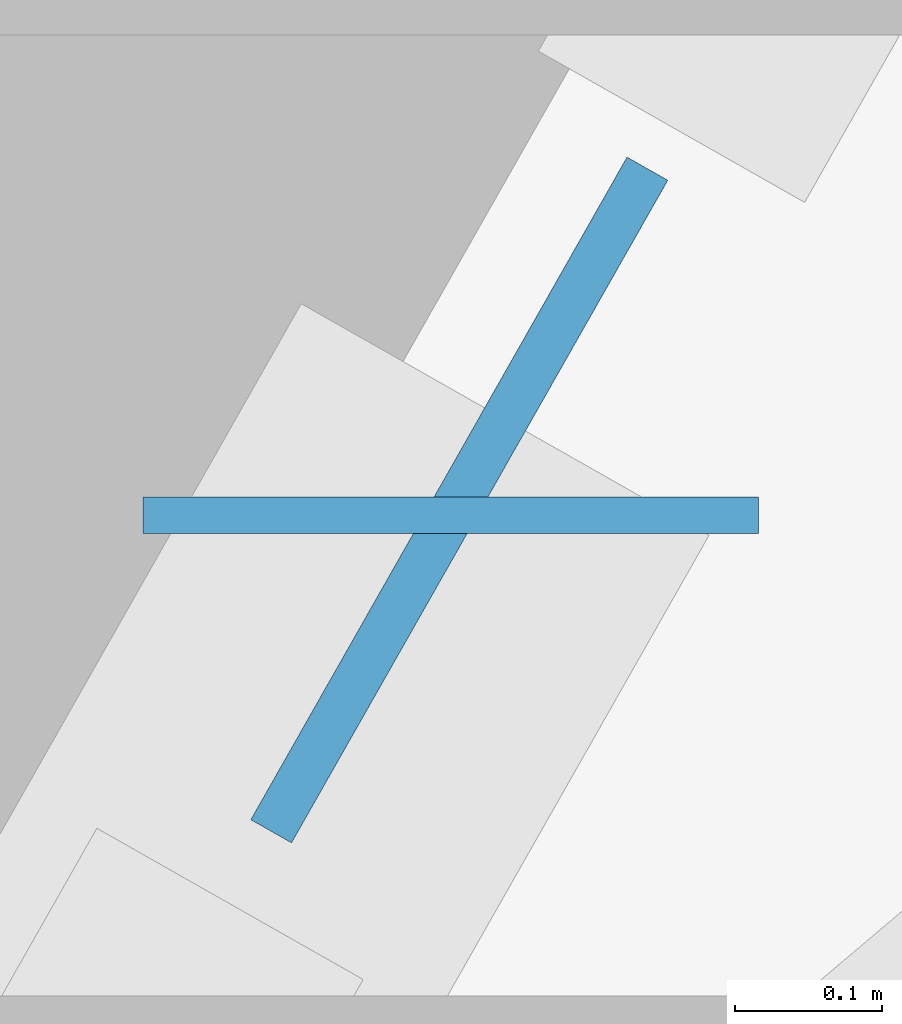
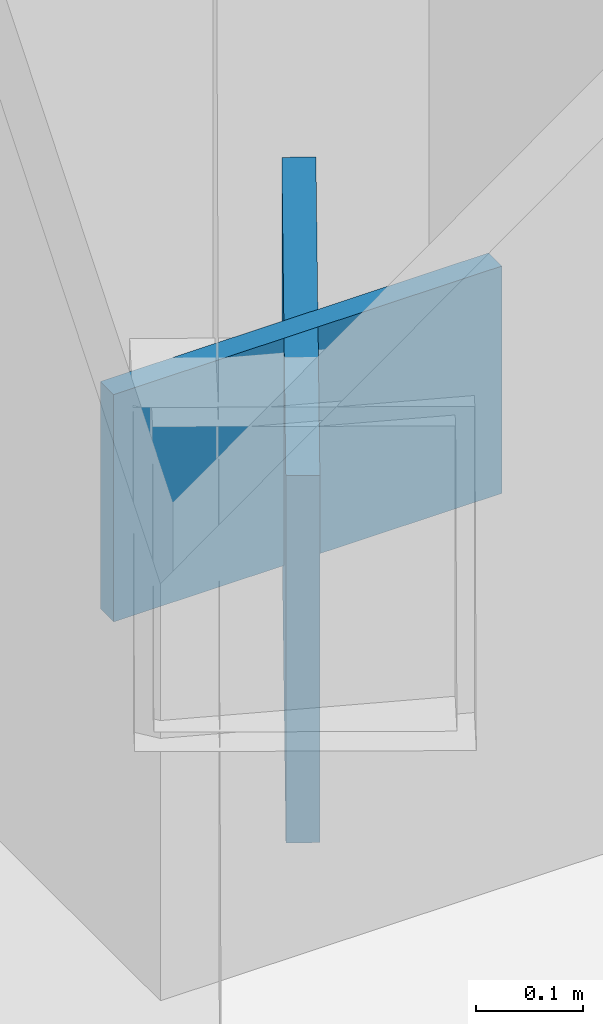
# One storey, part 5 of 13: 2 plates.
"""IFC4 building model written with IfcOpenShell, lengths in metres."""

import ifcopenshell
import ifcopenshell.guid

model = None  # the IFC model being written
_history = None  # IfcOwnerHistory: only IFC2X3 demands one
_inside = {}  # id of a spatial element -> (the spatial element, [elements in it])
_under = {}  # id of a project, library or spatial element -> (it, [spatial elements below it])
_declared = {}  # id of a project -> (the project, [libraries it declares])
_typed = {}  # id of a type object -> (the type object, [elements of that type])
_made_of = {}  # id of a material, layer set ... -> (it, [elements and type objects made of it])


def new_model(schema):
    """Start an empty IFC model of exactly this schema.

    Asked for "IFC4X3", IfcOpenShell would pick the latest addendum, in which some entities
    have other attributes; the version numbers below select the first issue.
    IFC2X3 requires an IfcOwnerHistory on every rooted entity: one is made here for all.
    """
    global model, _history
    if schema == "IFC4X3":
        model = ifcopenshell.file(schema_version=(4, 3, 0, 0))
    else:
        model = ifcopenshell.file(schema=schema)
    _inside.clear()
    _under.clear()
    _declared.clear()
    _typed.clear()
    _made_of.clear()
    _history = None
    if model.schema == "IFC2X3":
        org = make("IfcOrganization", Name="unknown")
        user = make(
            "IfcPersonAndOrganization",
            ThePerson=make("IfcPerson", FamilyName="unknown"),
            TheOrganization=org,
        )
        app = make(
            "IfcApplication",
            ApplicationDeveloper=org,
            Version="unknown",
            ApplicationFullName="unknown",
            ApplicationIdentifier="unknown",
        )
        _history = make(
            "IfcOwnerHistory",
            OwningUser=user,
            OwningApplication=app,
            ChangeAction="ADDED",
            CreationDate=0,
        )
    return model


def make(cls, **values):
    """One entity of the class cls with the attributes given. An attribute that is None is left unset."""
    return model.create_entity(
        cls, **{name: value for name, value in values.items() if value is not None}
    )


def rooted(cls, **values):
    """An entity with a GlobalId (a new one), such as an element, a storey or a relation."""
    return make(cls, GlobalId=ifcopenshell.guid.new(), OwnerHistory=_history, **values)


def si_unit(unit_type, name, prefix=None):
    """IfcSIUnit, for example si_unit("LENGTHUNIT", "METRE", prefix="MILLI")."""
    return make("IfcSIUnit", UnitType=unit_type, Prefix=prefix, Name=name)


def assignment(units):
    """IfcUnitAssignment: the units of a project."""
    return None if units is None else make("IfcUnitAssignment", Units=units)


def point(xyz):
    """IfcCartesianPoint."""
    return None if xyz is None else make("IfcCartesianPoint", Coordinates=xyz)


def direction(xyz):
    """IfcDirection."""
    return None if xyz is None else make("IfcDirection", DirectionRatios=xyz)


def frame(location, z_axis=None, x_axis=None):
    """IfcAxis2Placement3D, a coordinate frame: its origin and axes. An axis left out is left unset."""
    return make(
        "IfcAxis2Placement3D",
        Location=point(location),
        Axis=direction(z_axis),
        RefDirection=direction(x_axis),
    )


def frame_2d(location, x_axis=None):
    """IfcAxis2Placement2D, a coordinate frame in the plane: its origin and x axis."""
    return make(
        "IfcAxis2Placement2D", Location=point(location), RefDirection=direction(x_axis)
    )


def origin():
    """The frame at (0, 0, 0) with its axes left unset."""
    return frame((0.0, 0.0, 0.0))


def origin_2d():
    """The frame at (0, 0) in the plane with its x axis left unset."""
    return frame_2d((0.0, 0.0))


def place(relative_to, where):
    """IfcLocalPlacement: puts the frame where relative to a parent placement (None: the world)."""
    return make(
        "IfcLocalPlacement", PlacementRelTo=relative_to, RelativePlacement=where
    )


def context(
    kind, dimensions, precision=None, world=None, true_north=None, identifier=None
):
    """IfcGeometricRepresentationContext, for example the 3D "Model" context."""
    return make(
        "IfcGeometricRepresentationContext",
        ContextIdentifier=identifier,
        ContextType=kind,
        CoordinateSpaceDimension=dimensions,
        Precision=precision,
        WorldCoordinateSystem=world,
        TrueNorth=true_north,
    )


def subcontext(parent, identifier, kind, view, scale=None):
    """IfcGeometricRepresentationSubContext, for example "Body" below "Model"."""
    return make(
        "IfcGeometricRepresentationSubContext",
        ContextIdentifier=identifier,
        ContextType=kind,
        ParentContext=parent,
        TargetScale=scale,
        TargetView=view,
    )


def project(units=None, contexts=None):
    """IfcProject with its units and contexts."""
    return rooted(
        "IfcProject",
        Name="project",
        RepresentationContexts=contexts,
        UnitsInContext=assignment(units),
    )


def spatial(cls, under=None, at=None, **own):
    """A site, building, storey or space (cls), placed at a placement, below another one or the project."""
    s = rooted(cls, ObjectPlacement=at, **own)
    if under is not None:
        _under.setdefault(under.id(), (under, []))[1].append(s)
    return s


def profile(cls, at=None, kind="AREA", **sizes):
    """A parametric profile (cls). Its sizes go by their IFC names, for example OverallWidth=200.0."""
    return make(cls, ProfileType=kind, Position=at, **sizes)


def rectangle(**sizes):
    """IfcRectangleProfileDef."""
    return profile("IfcRectangleProfileDef", **sizes)


def extrude(swept, where, along, depth):
    """IfcExtrudedAreaSolid: the profile swept, set in the frame where, extruded along a direction by depth."""
    return make(
        "IfcExtrudedAreaSolid",
        SweptArea=swept,
        Position=where,
        ExtrudedDirection=direction(along),
        Depth=depth,
    )


def shape(context_of_items, identifier, shape_type, items):
    """IfcShapeRepresentation: the items that make up one representation, for example the "Body"."""
    return make(
        "IfcShapeRepresentation",
        ContextOfItems=context_of_items,
        RepresentationIdentifier=identifier,
        RepresentationType=shape_type,
        Items=items,
    )


def material(Name=None, Category=None):
    """IfcMaterial."""
    return make("IfcMaterial", Name=Name, Category=Category)


def layer(
    of_material, thickness, ventilated=None, Name=None, Category=None, Priority=None
):
    """IfcMaterialLayer: one layer of a wall or slab, of a material (None: an air gap)."""
    return make(
        "IfcMaterialLayer",
        Material=of_material,
        LayerThickness=thickness,
        IsVentilated=ventilated,
        Name=Name,
        Category=Category,
        Priority=Priority,
    )


def layer_set(layers, Name=None):
    """IfcMaterialLayerSet."""
    return make("IfcMaterialLayerSet", MaterialLayers=layers, LayerSetName=Name)


def made_of(thing, what):
    """Note that an element or type object is made of a material, layer set ...; save() writes the relation."""
    if what is not None:
        _made_of.setdefault(what.id(), (what, []))[1].append(thing)
    return thing


def type_object(cls, material=None, **own):
    """A type object (cls), such as IfcWallType, which elements share."""
    return made_of(rooted(cls, **own), material)


def element(
    cls,
    number,
    at=None,
    inside=None,
    cuts=None,
    type_object=None,
    material=None,
    context=None,
    identifier="Body",
    shape_type=None,
    held_by="IfcProductDefinitionShape",
    body=None,
    shapes=None,
    **own,
):
    """One element of the class cls, such as IfcWall. Its Tag is "e" and its number.

    at: its placement. inside: the storey or other place that contains it. cuts: it is an
    opening in that element (IfcRelVoidsElement). A single representation is given by context,
    identifier, shape_type and body (its items); several are given by shapes. held_by: the class
    of the entity that holds the representations. save() writes the other relations.
    """
    e = rooted(cls, Tag="e%d" % number, ObjectPlacement=at, **own)
    if body is not None:
        shapes = [shape(context, identifier, shape_type, body)]
    if shapes is not None:
        e.Representation = make(held_by, Representations=shapes)
    if inside is not None:
        _inside.setdefault(inside.id(), (inside, []))[1].append(e)
    if cuts is not None:
        rooted(
            "IfcRelVoidsElement", RelatingBuildingElement=cuts, RelatedOpeningElement=e
        )
    if type_object is not None:
        _typed.setdefault(type_object.id(), (type_object, []))[1].append(e)
    return made_of(e, material)


def aggregate(whole, parts):
    """IfcRelAggregates: a whole, such as a stair, and the parts it consists of."""
    return rooted("IfcRelAggregates", RelatingObject=whole, RelatedObjects=parts)


def save(model, path):
    """Write the relations noted so far, then the file.

    IfcRelAggregates (storeys below a building ...), IfcRelContainedInSpatialStructure (elements
    in a storey), IfcRelDefinesByType, IfcRelAssociatesMaterial and IfcRelDeclares: one each for
    every whole, place, type object, material and project.
    """
    for whole, parts in _under.values():
        aggregate(whole, parts)
    for where, things in _inside.values():
        rooted(
            "IfcRelContainedInSpatialStructure",
            RelatedElements=things,
            RelatingStructure=where,
        )
    for kind, things in _typed.values():
        rooted("IfcRelDefinesByType", RelatedObjects=things, RelatingType=kind)
    for what, things in _made_of.values():
        rooted("IfcRelAssociatesMaterial", RelatedObjects=things, RelatingMaterial=what)
    for by, libraries in _declared.values():
        rooted("IfcRelDeclares", RelatingContext=by, RelatedDefinitions=libraries)
    model.write(path)


model = new_model("IFC4")

# Units and contexts
model_context = context("Model", 3, precision=1e-05, world=origin(), true_north=direction((0.0, 1.0)))
body_context = subcontext(model_context, "Body", "Model", "MODEL_VIEW")
ifc_project = project(units=[si_unit("LENGTHUNIT", "METRE"), si_unit("AREAUNIT", "SQUARE_METRE"), si_unit("VOLUMEUNIT", "CUBIC_METRE"), si_unit("PLANEANGLEUNIT", "RADIAN"), si_unit("MASSUNIT", "GRAM", prefix="KILO")], contexts=[model_context])

# Site, building, storey
site_placement = place(None, origin())
site = spatial("IfcSite", under=ifc_project, at=site_placement, CompositionType="ELEMENT")
building_placement = place(site_placement, origin())
building = spatial("IfcBuilding", under=site, at=building_placement, Name="Kavelnor Concourse Tower", CompositionType="ELEMENT")
storey_placement = place(building_placement, frame((0.0, 0.0, 97.050048828125)))
storey = spatial("IfcBuildingStorey", under=building, at=storey_placement, Name="L24", CompositionType="ELEMENT", Elevation=97.050048828125)

# Plates
ifc_material = material(Name="Steel Grade 350", Category="steel")
ifc_layer_1 = layer(ifc_material, 0.031982421875, Name="Steel Grade 350")
ifc_layer_set_1 = layer_set([ifc_layer_1], Name="Steel Grade 350")
plate_type_1 = type_object("IfcPlateType", Name="PL-GUSSET-TUBE-Z1", PredefinedType="USERDEFINED", material=ifc_layer_set_1)
plate_1_placement = place(storey_placement, frame((23.24609375, 28.97216796875, 0.010009765625), z_axis=(0.0, 0.0, 1.0), x_axis=(-0.493790103568, -0.86958112538, 0.0)))
element("IfcPlate", 1, at=plate_1_placement, inside=storey, type_object=plate_type_1, Name="L24 Tube Brace Gusset GP3 F0-B3 End Gusset A", ObjectType="GUSSET_PLATE", PredefinedType="USERDEFINED", context=body_context, shape_type="SweptSolid", body=[
    extrude(rectangle(XDim=0.52001953125, YDim=0.031982421875, at=origin_2d()), origin(), (0.0, 0.0, 1.0), 0.419921875),
])
ifc_layer_2 = layer(ifc_material, 0.02490234375, Name="Steel Grade 350")
ifc_layer_set_2 = layer_set([ifc_layer_2], Name="Steel Grade 350")
plate_type_2 = type_object("IfcPlateType", Name="PL-SPLICE-FLANGE", PredefinedType="SHEET", material=ifc_layer_set_2)
plate_2_placement = place(storey_placement, frame((23.240234375, 28.961669921875, 0.169921875), z_axis=(0.0, 0.0, 1.0), x_axis=(1.0, 0.0, 0.0)))
element("IfcPlate", 2, at=plate_2_placement, inside=storey, type_object=plate_type_2, Name="L24 Column Flange Splice Plate F0-B3", PredefinedType="SHEET", context=body_context, shape_type="SweptSolid", body=[
    extrude(rectangle(XDim=0.419921875, YDim=0.02490234375, at=origin_2d()), origin(), (0.0, 0.0, 1.0), 0.260009765625),
])

save(model, "model.ifc")
